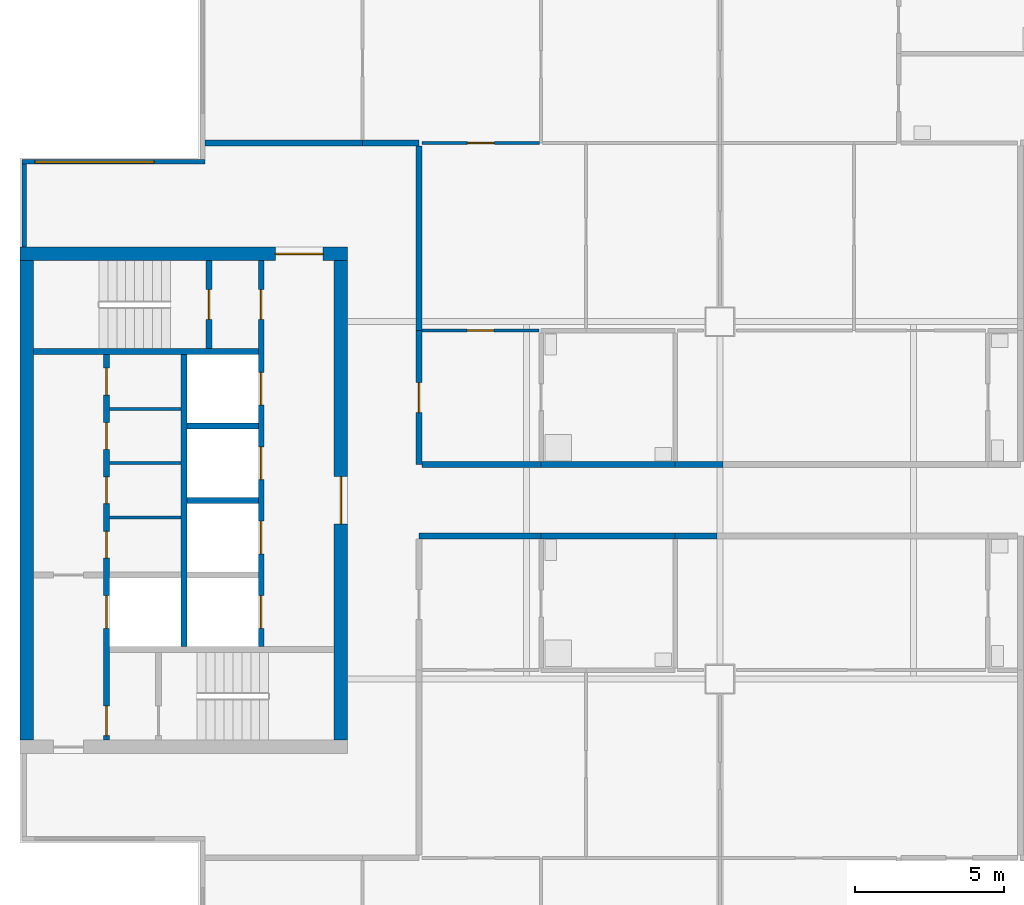
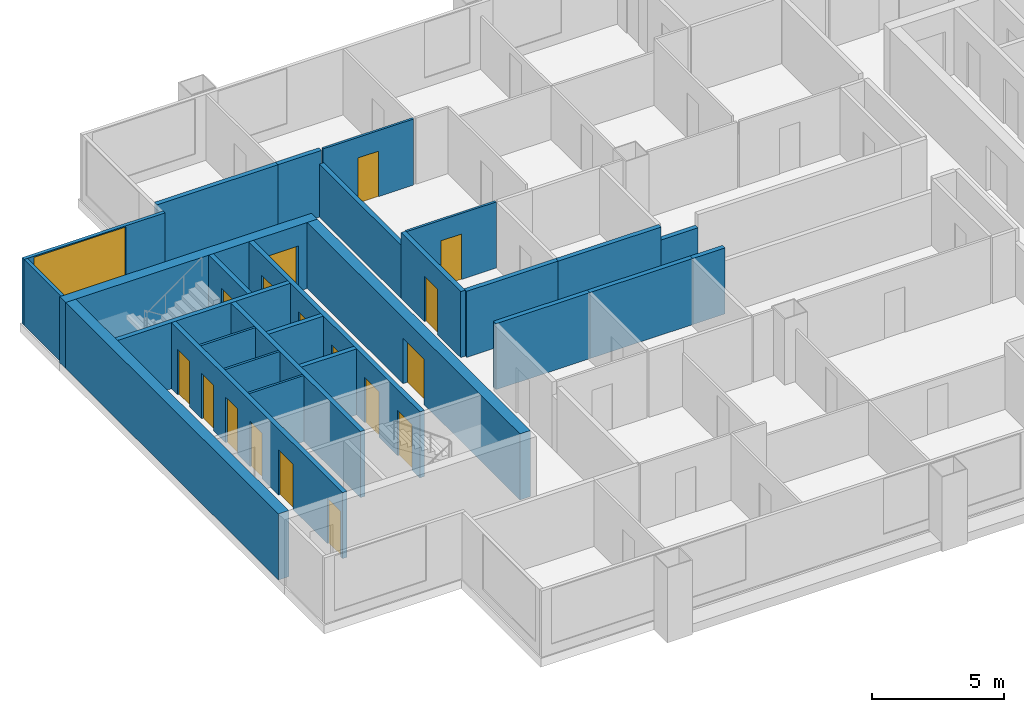
# One storey, part 3 of 8: 27 walls, 17 doors, 1 window, 18 openings.
"""IFC4 building model written with IfcOpenShell, lengths in metres."""

import ifcopenshell
import ifcopenshell.guid

model = None  # the IFC model being written
_history = None  # IfcOwnerHistory: only IFC2X3 demands one
_inside = {}  # id of a spatial element -> (the spatial element, [elements in it])
_under = {}  # id of a project, library or spatial element -> (it, [spatial elements below it])
_declared = {}  # id of a project -> (the project, [libraries it declares])
_typed = {}  # id of a type object -> (the type object, [elements of that type])
_made_of = {}  # id of a material, layer set ... -> (it, [elements and type objects made of it])


def new_model(schema):
    """Start an empty IFC model of exactly this schema.

    Asked for "IFC4X3", IfcOpenShell would pick the latest addendum, in which some entities
    have other attributes; the version numbers below select the first issue.
    IFC2X3 requires an IfcOwnerHistory on every rooted entity: one is made here for all.
    """
    global model, _history
    if schema == "IFC4X3":
        model = ifcopenshell.file(schema_version=(4, 3, 0, 0))
    else:
        model = ifcopenshell.file(schema=schema)
    _inside.clear()
    _under.clear()
    _declared.clear()
    _typed.clear()
    _made_of.clear()
    _history = None
    if model.schema == "IFC2X3":
        org = make("IfcOrganization", Name="unknown")
        user = make(
            "IfcPersonAndOrganization",
            ThePerson=make("IfcPerson", FamilyName="unknown"),
            TheOrganization=org,
        )
        app = make(
            "IfcApplication",
            ApplicationDeveloper=org,
            Version="unknown",
            ApplicationFullName="unknown",
            ApplicationIdentifier="unknown",
        )
        _history = make(
            "IfcOwnerHistory",
            OwningUser=user,
            OwningApplication=app,
            ChangeAction="ADDED",
            CreationDate=0,
        )
    return model


def make(cls, **values):
    """One entity of the class cls with the attributes given. An attribute that is None is left unset."""
    return model.create_entity(
        cls, **{name: value for name, value in values.items() if value is not None}
    )


def rooted(cls, **values):
    """An entity with a GlobalId (a new one), such as an element, a storey or a relation."""
    return make(cls, GlobalId=ifcopenshell.guid.new(), OwnerHistory=_history, **values)


def si_unit(unit_type, name, prefix=None):
    """IfcSIUnit, for example si_unit("LENGTHUNIT", "METRE", prefix="MILLI")."""
    return make("IfcSIUnit", UnitType=unit_type, Prefix=prefix, Name=name)


def assignment(units):
    """IfcUnitAssignment: the units of a project."""
    return None if units is None else make("IfcUnitAssignment", Units=units)


def point(xyz):
    """IfcCartesianPoint."""
    return None if xyz is None else make("IfcCartesianPoint", Coordinates=xyz)


def direction(xyz):
    """IfcDirection."""
    return None if xyz is None else make("IfcDirection", DirectionRatios=xyz)


def frame(location, z_axis=None, x_axis=None):
    """IfcAxis2Placement3D, a coordinate frame: its origin and axes. An axis left out is left unset."""
    return make(
        "IfcAxis2Placement3D",
        Location=point(location),
        Axis=direction(z_axis),
        RefDirection=direction(x_axis),
    )


def frame_2d(location, x_axis=None):
    """IfcAxis2Placement2D, a coordinate frame in the plane: its origin and x axis."""
    return make(
        "IfcAxis2Placement2D", Location=point(location), RefDirection=direction(x_axis)
    )


def origin():
    """The frame at (0, 0, 0) with its axes left unset."""
    return frame((0.0, 0.0, 0.0))


def place(relative_to, where):
    """IfcLocalPlacement: puts the frame where relative to a parent placement (None: the world)."""
    return make(
        "IfcLocalPlacement", PlacementRelTo=relative_to, RelativePlacement=where
    )


def context(
    kind, dimensions, precision=None, world=None, true_north=None, identifier=None
):
    """IfcGeometricRepresentationContext, for example the 3D "Model" context."""
    return make(
        "IfcGeometricRepresentationContext",
        ContextIdentifier=identifier,
        ContextType=kind,
        CoordinateSpaceDimension=dimensions,
        Precision=precision,
        WorldCoordinateSystem=world,
        TrueNorth=true_north,
    )


def subcontext(parent, identifier, kind, view, scale=None):
    """IfcGeometricRepresentationSubContext, for example "Body" below "Model"."""
    return make(
        "IfcGeometricRepresentationSubContext",
        ContextIdentifier=identifier,
        ContextType=kind,
        ParentContext=parent,
        TargetScale=scale,
        TargetView=view,
    )


def project(units=None, contexts=None):
    """IfcProject with its units and contexts."""
    return rooted(
        "IfcProject",
        Name="project",
        RepresentationContexts=contexts,
        UnitsInContext=assignment(units),
    )


def spatial(cls, under=None, at=None, **own):
    """A site, building, storey or space (cls), placed at a placement, below another one or the project."""
    s = rooted(cls, ObjectPlacement=at, **own)
    if under is not None:
        _under.setdefault(under.id(), (under, []))[1].append(s)
    return s


def profile(cls, at=None, kind="AREA", **sizes):
    """A parametric profile (cls). Its sizes go by their IFC names, for example OverallWidth=200.0."""
    return make(cls, ProfileType=kind, Position=at, **sizes)


def rectangle(**sizes):
    """IfcRectangleProfileDef."""
    return profile("IfcRectangleProfileDef", **sizes)


def extrude(swept, where, along, depth):
    """IfcExtrudedAreaSolid: the profile swept, set in the frame where, extruded along a direction by depth."""
    return make(
        "IfcExtrudedAreaSolid",
        SweptArea=swept,
        Position=where,
        ExtrudedDirection=direction(along),
        Depth=depth,
    )


def shape(context_of_items, identifier, shape_type, items):
    """IfcShapeRepresentation: the items that make up one representation, for example the "Body"."""
    return make(
        "IfcShapeRepresentation",
        ContextOfItems=context_of_items,
        RepresentationIdentifier=identifier,
        RepresentationType=shape_type,
        Items=items,
    )


def material(Name=None, Category=None):
    """IfcMaterial."""
    return make("IfcMaterial", Name=Name, Category=Category)


def layer(
    of_material, thickness, ventilated=None, Name=None, Category=None, Priority=None
):
    """IfcMaterialLayer: one layer of a wall or slab, of a material (None: an air gap)."""
    return make(
        "IfcMaterialLayer",
        Material=of_material,
        LayerThickness=thickness,
        IsVentilated=ventilated,
        Name=Name,
        Category=Category,
        Priority=Priority,
    )


def layer_set(layers, Name=None):
    """IfcMaterialLayerSet."""
    return make("IfcMaterialLayerSet", MaterialLayers=layers, LayerSetName=Name)


def made_of(thing, what):
    """Note that an element or type object is made of a material, layer set ...; save() writes the relation."""
    if what is not None:
        _made_of.setdefault(what.id(), (what, []))[1].append(thing)
    return thing


def type_object(cls, material=None, **own):
    """A type object (cls), such as IfcWallType, which elements share."""
    return made_of(rooted(cls, **own), material)


def element(
    cls,
    number,
    at=None,
    inside=None,
    cuts=None,
    type_object=None,
    material=None,
    context=None,
    identifier="Body",
    shape_type=None,
    held_by="IfcProductDefinitionShape",
    body=None,
    shapes=None,
    **own,
):
    """One element of the class cls, such as IfcWall. Its Tag is "e" and its number.

    at: its placement. inside: the storey or other place that contains it. cuts: it is an
    opening in that element (IfcRelVoidsElement). A single representation is given by context,
    identifier, shape_type and body (its items); several are given by shapes. held_by: the class
    of the entity that holds the representations. save() writes the other relations.
    """
    e = rooted(cls, Tag="e%d" % number, ObjectPlacement=at, **own)
    if body is not None:
        shapes = [shape(context, identifier, shape_type, body)]
    if shapes is not None:
        e.Representation = make(held_by, Representations=shapes)
    if inside is not None:
        _inside.setdefault(inside.id(), (inside, []))[1].append(e)
    if cuts is not None:
        rooted(
            "IfcRelVoidsElement", RelatingBuildingElement=cuts, RelatedOpeningElement=e
        )
    if type_object is not None:
        _typed.setdefault(type_object.id(), (type_object, []))[1].append(e)
    return made_of(e, material)


def fill(opening, filler):
    """IfcRelFillsElement: the door or window that sits in an opening."""
    return rooted(
        "IfcRelFillsElement",
        RelatingOpeningElement=opening,
        RelatedBuildingElement=filler,
    )


def aggregate(whole, parts):
    """IfcRelAggregates: a whole, such as a stair, and the parts it consists of."""
    return rooted("IfcRelAggregates", RelatingObject=whole, RelatedObjects=parts)


def save(model, path):
    """Write the relations noted so far, then the file.

    IfcRelAggregates (storeys below a building ...), IfcRelContainedInSpatialStructure (elements
    in a storey), IfcRelDefinesByType, IfcRelAssociatesMaterial and IfcRelDeclares: one each for
    every whole, place, type object, material and project.
    """
    for whole, parts in _under.values():
        aggregate(whole, parts)
    for where, things in _inside.values():
        rooted(
            "IfcRelContainedInSpatialStructure",
            RelatedElements=things,
            RelatingStructure=where,
        )
    for kind, things in _typed.values():
        rooted("IfcRelDefinesByType", RelatedObjects=things, RelatingType=kind)
    for what, things in _made_of.values():
        rooted("IfcRelAssociatesMaterial", RelatedObjects=things, RelatingMaterial=what)
    for by, libraries in _declared.values():
        rooted("IfcRelDeclares", RelatingContext=by, RelatedDefinitions=libraries)
    model.write(path)


model = new_model("IFC4")

# Units and contexts
model_context = context("Model", 3, precision=1e-05, world=origin(), true_north=direction((0.0, 1.0)))
body_context = subcontext(model_context, "Body", "Model", "MODEL_VIEW")
ifc_project = project(units=[si_unit("LENGTHUNIT", "METRE"), si_unit("AREAUNIT", "SQUARE_METRE"), si_unit("VOLUMEUNIT", "CUBIC_METRE"), si_unit("PLANEANGLEUNIT", "RADIAN"), si_unit("MASSUNIT", "GRAM", prefix="KILO")], contexts=[model_context])

# Site, building, storey
site_placement = place(None, origin())
site = spatial("IfcSite", under=ifc_project, at=site_placement, CompositionType="ELEMENT")
building_placement = place(site_placement, origin())
building = spatial("IfcBuilding", under=site, at=building_placement, Name="Kitamizu Gate Tower and Museum", CompositionType="ELEMENT")
storey_placement = place(building_placement, frame((0.0, 0.0, 228.300048828125)))
storey = spatial("IfcBuildingStorey", under=building, at=storey_placement, Name="L61", CompositionType="ELEMENT", Elevation=228.300048828125)

# Wall, opening, door
ifc_material_1 = material(Name="Concrete Fc42", Category="concrete")
ifc_layer_1 = layer(ifc_material_1, 0.449951171875)
ifc_layer_set_1 = layer_set([ifc_layer_1], Name="Concrete Fc42")
wall_type_1 = type_object("IfcWallType", Name="Core wall 450", PredefinedType="SHEAR", material=ifc_layer_set_1)
wall_1_placement = place(storey_placement, frame((12.5, 38.27490234375, 0.0), z_axis=(0.0, 0.0, 1.0), x_axis=(1.0, 0.0, 0.0)))
wall_1 = element("IfcWall", 1, at=wall_1_placement, inside=storey, type_object=wall_type_1, Name="Core wall WN", PredefinedType="SHEAR", context=body_context, shape_type="SweptSolid", body=[
    extrude(rectangle(XDim=11.0, YDim=0.449951171875, at=frame_2d((5.5, 0.0))), origin(), (0.0, 0.0, 1.0), 3.050048828125),
])
opening_1_placement = place(wall_1_placement, frame((8.574951171875, 0.0, 0.0)))
opening_1 = element("IfcOpeningElement", 2, at=opening_1_placement, cuts=wall_1, Name="Opening L61-036", PredefinedType="OPENING", context=body_context, shape_type="SweptSolid", body=[
    extrude(rectangle(XDim=1.60009765625, YDim=2.10009765625, at=frame_2d((0.800048828125, 1.050048828125))), frame((0.0, 0.23486328125, 0.0), z_axis=(0.0, -1.0, 0.0), x_axis=(1.0, 0.0, 0.0)), (0.0, 0.0, 1.0), 0.469970703125),
])
ifc_material_2 = material(Name="Timber door set", Category="wood")
door_type_1 = type_object("IfcDoorType", Name="Entrance door 1600", OperationType="DOUBLE_DOOR_SINGLE_SWING", PredefinedType="DOOR", material=ifc_material_2)
door_1_placement = place(opening_1_placement, origin())
door_1 = element("IfcDoor", 3, at=door_1_placement, inside=storey, type_object=door_type_1, Name="Lobby door L61-036", OperationType="DOUBLE_DOOR_SINGLE_SWING", OverallHeight=2.10009765625, OverallWidth=1.60009765625, PredefinedType="DOOR", context=body_context, shape_type="SweptSolid", body=[
    extrude(rectangle(XDim=1.60009765625, YDim=2.10009765625, at=frame_2d((0.800048828125, 1.050048828125))), frame((0.0, 0.02490234375, 0.0), z_axis=(0.0, -1.0, 0.0), x_axis=(1.0, 0.0, 0.0)), (0.0, 0.0, 1.0), 0.050048828125),
])
fill(opening_1, door_1)

# Wall
wall_2_placement = place(storey_placement, frame((12.72509765625, 21.949951171875, 0.0), z_axis=(0.0, 0.0, 1.0), x_axis=(0.0, 1.0, 0.0)))
element("IfcWall", 4, at=wall_2_placement, inside=storey, type_object=wall_type_1, Name="Core wall WOUT", PredefinedType="SHEAR", context=body_context, shape_type="SweptSolid", body=[
    extrude(rectangle(XDim=16.10009765625, YDim=0.449951171875, at=frame_2d((8.050048828125, 0.0))), origin(), (0.0, 0.0, 1.0), 3.050048828125),
])

# Wall, opening, door
wall_3_placement = place(storey_placement, frame((23.27490234375, 21.949951171875, 0.0), z_axis=(0.0, 0.0, 1.0), x_axis=(0.0, 1.0, 0.0)))
wall_3 = element("IfcWall", 5, at=wall_3_placement, inside=storey, type_object=wall_type_1, Name="Core wall WARC", PredefinedType="SHEAR", context=body_context, shape_type="SweptSolid", body=[
    extrude(rectangle(XDim=16.10009765625, YDim=0.449951171875, at=frame_2d((8.050048828125, 0.0))), origin(), (0.0, 0.0, 1.0), 3.050048828125),
])
opening_2_placement = place(wall_3_placement, frame((7.25, 0.0, 0.0)))
opening_2 = element("IfcOpeningElement", 6, at=opening_2_placement, cuts=wall_3, Name="Opening L61-037", PredefinedType="OPENING", context=body_context, shape_type="SweptSolid", body=[
    extrude(rectangle(XDim=1.60009765625, YDim=2.10009765625, at=frame_2d((0.800048828125, 1.050048828125))), frame((0.0, 0.23486328125, 0.0), z_axis=(0.0, -1.0, 0.0), x_axis=(1.0, 0.0, 0.0)), (0.0, 0.0, 1.0), 0.469970703125),
])
door_2_placement = place(opening_2_placement, origin())
door_2 = element("IfcDoor", 7, at=door_2_placement, inside=storey, type_object=door_type_1, Name="Lobby door L61-037", OperationType="DOUBLE_DOOR_SINGLE_SWING", OverallHeight=2.10009765625, OverallWidth=1.60009765625, PredefinedType="DOOR", context=body_context, shape_type="SweptSolid", body=[
    extrude(rectangle(XDim=1.60009765625, YDim=2.10009765625, at=frame_2d((0.800048828125, 1.050048828125))), frame((0.0, 0.02490234375, 0.0), z_axis=(0.0, -1.0, 0.0), x_axis=(1.0, 0.0, 0.0)), (0.0, 0.0, 1.0), 0.050048828125),
])
fill(opening_2, door_2)

# Walls
ifc_material_3 = material(Name="Gypsum board on galvanised stud")
ifc_layer_2 = layer(ifc_material_3, 0.10009765625)
ifc_layer_set_2 = layer_set([ifc_layer_2], Name="Gypsum board on galvanised stud")
wall_type_2 = type_object("IfcWallType", Name="Partition 100", PredefinedType="PARTITIONING", material=ifc_layer_set_2)
for number, where, z_axis, x_axis, name in (
    (8, (15.5, 29.425048828125, 0.0), (0.0, 0.0, 1.0), (1.0, 0.0, 0.0), "Partition WPF1"),
    (9, (15.5, 31.25, 0.0), (0.0, 0.0, 1.0), (1.0, 0.0, 0.0), "Partition WPF2"),
    (10, (15.5, 33.074951171875, 0.0), (0.0, 0.0, 1.0), (1.0, 0.0, 0.0), "Partition WPF3"),
):
    element("IfcWall", number, at=place(storey_placement, frame(where, z_axis=z_axis, x_axis=x_axis)), inside=storey, type_object=wall_type_2, Name=name, PredefinedType="PARTITIONING", context=body_context, shape_type="SweptSolid", body=[
        extrude(rectangle(XDim=2.39990234375, YDim=0.10009765625, at=frame_2d((1.199951171875, 0.0))), origin(), (0.0, 0.0, 1.0), 3.050048828125),
    ])

# Wall, opening, door
ifc_material_4 = material(Name="Gypsum board on galvanised stud")
ifc_layer_3 = layer(ifc_material_4, 0.10009765625)
ifc_layer_set_3 = layer_set([ifc_layer_3], Name="Gypsum board on galvanised stud")
wall_type_3 = type_object("IfcWallType", Name="Partition 100 NOT RATED", PredefinedType="PARTITIONING", material=ifc_layer_set_3)
wall_4_placement = place(storey_placement, frame((26.0, 42.0, 0.0), z_axis=(0.0, 0.0, 1.0), x_axis=(1.0, 0.0, 0.0)))
wall_4 = element("IfcWall", 11, at=wall_4_placement, inside=storey, type_object=wall_type_3, Name="Partition L61-041", PredefinedType="PARTITIONING", context=body_context, shape_type="SweptSolid", body=[
    extrude(rectangle(XDim=3.949951171875, YDim=0.10009765625, at=frame_2d((1.97509765625, 0.0))), origin(), (0.0, 0.0, 1.0), 3.050048828125),
])
opening_3_placement = place(wall_4_placement, frame((1.52490234375, 0.0, 0.0)))
opening_3 = element("IfcOpeningElement", 12, at=opening_3_placement, cuts=wall_4, Name="Opening L61-017", PredefinedType="OPENING", context=body_context, shape_type="SweptSolid", body=[
    extrude(rectangle(XDim=0.89990234375, YDim=2.10009765625, at=frame_2d((0.449951171875, 1.050048828125))), frame((0.0, 0.06005859375, 0.0), z_axis=(0.0, -1.0, 0.0), x_axis=(1.0, 0.0, 0.0)), (0.0, 0.0, 1.0), 0.1201171875),
])
ifc_material_5 = material(Name="Timber door set", Category="wood")
door_type_2 = type_object("IfcDoorType", Name="Room door 900", OperationType="NOTDEFINED", PredefinedType="DOOR", material=ifc_material_5)
door_3_placement = place(opening_3_placement, origin())
door_3 = element("IfcDoor", 13, at=door_3_placement, inside=storey, type_object=door_type_2, Name="Door L61-017", OperationType="SINGLE_SWING_RIGHT", OverallHeight=2.10009765625, OverallWidth=0.89990234375, PredefinedType="DOOR", context=body_context, shape_type="SweptSolid", body=[
    extrude(rectangle(XDim=0.89990234375, YDim=2.10009765625, at=frame_2d((0.449951171875, 1.050048828125))), frame((0.0, 0.02490234375, 0.0), z_axis=(0.0, -1.0, 0.0), x_axis=(1.0, 0.0, 0.0)), (0.0, 0.0, 1.0), 0.050048828125),
])
fill(opening_3, door_3)

wall_5_placement = place(storey_placement, frame((26.0, 35.699951171875, 0.0), z_axis=(0.0, 0.0, 1.0), x_axis=(1.0, 0.0, 0.0)))
wall_5 = element("IfcWall", 14, at=wall_5_placement, inside=storey, type_object=wall_type_3, Name="Partition L61-057", PredefinedType="PARTITIONING", context=body_context, shape_type="SweptSolid", body=[
    extrude(rectangle(XDim=3.925048828125, YDim=0.10009765625, at=frame_2d((1.96240234375, 0.0))), origin(), (0.0, 0.0, 1.0), 3.050048828125),
])
opening_4_placement = place(wall_5_placement, frame((1.512451171875, 0.0, 0.0)))
opening_4 = element("IfcOpeningElement", 15, at=opening_4_placement, cuts=wall_5, Name="Opening L61-016", PredefinedType="OPENING", context=body_context, shape_type="SweptSolid", body=[
    extrude(rectangle(XDim=0.89990234375, YDim=2.10009765625, at=frame_2d((0.449951171875, 1.050048828125))), frame((0.0, 0.06005859375, 0.0), z_axis=(0.0, -1.0, 0.0), x_axis=(1.0, 0.0, 0.0)), (0.0, 0.0, 1.0), 0.1201171875),
])
door_4_placement = place(opening_4_placement, origin())
door_4 = element("IfcDoor", 16, at=door_4_placement, inside=storey, type_object=door_type_2, Name="Door L61-016", OperationType="SINGLE_SWING_LEFT", OverallHeight=2.10009765625, OverallWidth=0.89990234375, PredefinedType="DOOR", context=body_context, shape_type="SweptSolid", body=[
    extrude(rectangle(XDim=0.89990234375, YDim=2.10009765625, at=frame_2d((0.449951171875, 1.050048828125))), frame((0.0, 0.02490234375, 0.0), z_axis=(0.0, -1.0, 0.0), x_axis=(1.0, 0.0, 0.0)), (0.0, 0.0, 1.0), 0.050048828125),
])
fill(opening_4, door_4)

# Walls
ifc_material_6 = material(Name="Gypsum board on galvanised stud")
ifc_layer_4 = layer(ifc_material_6, 0.199951171875)
ifc_layer_set_4 = layer_set([ifc_layer_4], Name="Gypsum board on galvanised stud")
wall_type_4 = type_object("IfcWallType", Name="Partition 200", PredefinedType="PARTITIONING", material=ifc_layer_set_4)
wall_6_placement = place(storey_placement, frame((30.0, 28.800048828125, 0.0), z_axis=(0.0, 0.0, 1.0), x_axis=(-1.0, 0.0, 0.0)))
element("IfcWall", 17, at=wall_6_placement, inside=storey, type_object=wall_type_4, Name="Partition L61-029", PredefinedType="PARTITIONING", context=body_context, shape_type="SweptSolid", body=[
    extrude(rectangle(XDim=4.10009765625, YDim=0.199951171875, at=frame_2d((2.050048828125, 0.0))), origin(), (0.0, 0.0, 1.0), 3.050048828125),
])
wall_7_placement = place(storey_placement, frame((34.5, 28.800048828125, 0.0), z_axis=(0.0, 0.0, 1.0), x_axis=(-1.0, 0.0, 0.0)))
element("IfcWall", 18, at=wall_7_placement, inside=storey, type_object=wall_type_4, Name="Partition L61-032", PredefinedType="PARTITIONING", context=body_context, shape_type="SweptSolid", body=[
    extrude(rectangle(XDim=4.5, YDim=0.199951171875, at=frame_2d((2.25, 0.0))), origin(), (0.0, 0.0, 1.0), 3.050048828125),
])
wall_8_placement = place(storey_placement, frame((35.89990234375, 28.800048828125, 0.0), z_axis=(0.0, 0.0, 1.0), x_axis=(-1.0, 0.0, 0.0)))
element("IfcWall", 19, at=wall_8_placement, inside=storey, type_object=wall_type_4, Name="Partition L61-035", PredefinedType="PARTITIONING", context=body_context, shape_type="SweptSolid", body=[
    extrude(rectangle(XDim=1.39990234375, YDim=0.199951171875, at=frame_2d((0.699951171875, 0.0))), origin(), (0.0, 0.0, 1.0), 3.050048828125),
])
wall_9_placement = place(storey_placement, frame((18.719970703125, 42.0, 0.0), z_axis=(0.0, 0.0, 1.0), x_axis=(1.0, 0.0, 0.0)))
element("IfcWall", 20, at=wall_9_placement, inside=storey, type_object=wall_type_4, Name="Partition L61-039", PredefinedType="PARTITIONING", context=body_context, shape_type="SweptSolid", body=[
    extrude(rectangle(XDim=5.280029296875, YDim=0.199951171875, at=frame_2d((2.64013671875, 0.0))), origin(), (0.0, 0.0, 1.0), 3.050048828125),
])
wall_10_placement = place(storey_placement, frame((24.0, 42.0, 0.0), z_axis=(0.0, 0.0, 1.0), x_axis=(1.0, 0.0, 0.0)))
element("IfcWall", 21, at=wall_10_placement, inside=storey, type_object=wall_type_4, Name="Partition L61-042", PredefinedType="PARTITIONING", context=body_context, shape_type="SweptSolid", body=[
    extrude(rectangle(XDim=1.89990234375, YDim=0.199951171875, at=frame_2d((0.949951171875, 0.0))), origin(), (0.0, 0.0, 1.0), 3.050048828125),
])
wall_11_placement = place(storey_placement, frame((25.89990234375, 41.89990234375, 0.0), z_axis=(0.0, 0.0, 1.0), x_axis=(0.0, -1.0, 0.0)))
element("IfcWall", 22, at=wall_11_placement, inside=storey, type_object=wall_type_4, Name="Partition L61-059", PredefinedType="PARTITIONING", context=body_context, shape_type="SweptSolid", body=[
    extrude(rectangle(XDim=6.199951171875, YDim=0.199951171875, at=frame_2d((3.10009765625, 0.0))), origin(), (0.0, 0.0, 1.0), 2.449951171875),
])

# Wall, opening, door
wall_12_placement = place(storey_placement, frame((25.89990234375, 35.699951171875, 0.0), z_axis=(0.0, 0.0, 1.0), x_axis=(0.0, -1.0, 0.0)))
wall_12 = element("IfcWall", 23, at=wall_12_placement, inside=storey, type_object=wall_type_4, Name="Partition L61-071", PredefinedType="PARTITIONING", context=body_context, shape_type="SweptSolid", body=[
    extrude(rectangle(XDim=4.5, YDim=0.199951171875, at=frame_2d((2.25, 0.0))), origin(), (0.0, 0.0, 1.0), 3.050048828125),
])
opening_5_placement = place(wall_12_placement, frame((1.75, 0.0, 0.0)))
opening_5 = element("IfcOpeningElement", 24, at=opening_5_placement, cuts=wall_12, Name="Opening L61-014", PredefinedType="OPENING", context=body_context, shape_type="SweptSolid", body=[
    extrude(rectangle(XDim=1.0, YDim=2.10009765625, at=frame_2d((0.5, 1.050048828125))), frame((0.0, 0.10986328125, 0.0), z_axis=(0.0, -1.0, 0.0), x_axis=(1.0, 0.0, 0.0)), (0.0, 0.0, 1.0), 0.219970703125),
])
ifc_material_7 = material(Name="Timber door set", Category="wood")
door_type_3 = type_object("IfcDoorType", Name="Flat entrance door 1000", OperationType="NOTDEFINED", PredefinedType="DOOR", material=ifc_material_7)
door_5_placement = place(opening_5_placement, origin())
door_5 = element("IfcDoor", 25, at=door_5_placement, inside=storey, type_object=door_type_3, Name="Flat entrance door L61-014", OperationType="SINGLE_SWING_LEFT", OverallHeight=2.10009765625, OverallWidth=1.0, PredefinedType="DOOR", context=body_context, shape_type="SweptSolid", body=[
    extrude(rectangle(XDim=1.0, YDim=2.10009765625, at=frame_2d((0.5, 1.050048828125))), frame((0.0, 0.02490234375, 0.0), z_axis=(0.0, -1.0, 0.0), x_axis=(1.0, 0.0, 0.0)), (0.0, 0.0, 1.0), 0.050048828125),
])
fill(opening_5, door_5)

# Walls
wall_13_placement = place(storey_placement, frame((26.0, 31.199951171875, 0.0), z_axis=(0.0, 0.0, 1.0), x_axis=(1.0, 0.0, 0.0)))
element("IfcWall", 26, at=wall_13_placement, inside=storey, type_object=wall_type_4, Name="Partition L61-072", PredefinedType="PARTITIONING", context=body_context, shape_type="SweptSolid", body=[
    extrude(rectangle(XDim=4.0, YDim=0.199951171875, at=frame_2d((2.0, 0.0))), origin(), (0.0, 0.0, 1.0), 3.050048828125),
])
wall_14_placement = place(storey_placement, frame((30.0, 31.199951171875, 0.0), z_axis=(0.0, 0.0, 1.0), x_axis=(1.0, 0.0, 0.0)))
element("IfcWall", 27, at=wall_14_placement, inside=storey, type_object=wall_type_4, Name="Partition L61-074", PredefinedType="PARTITIONING", context=body_context, shape_type="SweptSolid", body=[
    extrude(rectangle(XDim=4.5, YDim=0.199951171875, at=frame_2d((2.25, 0.0))), origin(), (0.0, 0.0, 1.0), 3.050048828125),
])
wall_15_placement = place(storey_placement, frame((34.5, 31.199951171875, 0.0), z_axis=(0.0, 0.0, 1.0), x_axis=(1.0, 0.0, 0.0)))
element("IfcWall", 28, at=wall_15_placement, inside=storey, type_object=wall_type_4, Name="Partition L61-076", PredefinedType="PARTITIONING", context=body_context, shape_type="SweptSolid", body=[
    extrude(rectangle(XDim=1.60009765625, YDim=0.199951171875, at=frame_2d((0.800048828125, 0.0))), origin(), (0.0, 0.0, 1.0), 2.449951171875),
])

# Wall, openings, doors
ifc_material_8 = material(Name="Concrete Fc42", Category="concrete")
ifc_layer_5 = layer(ifc_material_8, 0.199951171875)
ifc_layer_set_5 = layer_set([ifc_layer_5], Name="Concrete Fc42")
wall_type_5 = type_object("IfcWallType", Name="Shaft wall 200", PredefinedType="SOLIDWALL", material=ifc_layer_set_5)
wall_16_placement = place(storey_placement, frame((15.39990234375, 21.949951171875, 0.0), z_axis=(0.0, 0.0, 1.0), x_axis=(0.0, 1.0, 0.0)))
wall_16 = element("IfcWall", 29, at=wall_16_placement, inside=storey, type_object=wall_type_5, Name="Shaft wall WWEST", PredefinedType="SOLIDWALL", context=body_context, shape_type="SweptSolid", body=[
    extrude(rectangle(XDim=12.949951171875, YDim=0.199951171875, at=frame_2d((6.47509765625, 0.0))), origin(), (0.0, 0.0, 1.0), 3.050048828125),
])
opening_6_placement = place(wall_16_placement, frame((3.75, 0.0, 0.0)))
opening_6 = element("IfcOpeningElement", 30, at=opening_6_placement, cuts=wall_16, Name="Opening LD", PredefinedType="OPENING", context=body_context, shape_type="SweptSolid", body=[
    extrude(rectangle(XDim=1.10009765625, YDim=2.10009765625, at=frame_2d((0.550048828125, 1.050048828125))), frame((0.0, 0.10986328125, 0.0), z_axis=(0.0, -1.0, 0.0), x_axis=(1.0, 0.0, 0.0)), (0.0, 0.0, 1.0), 0.219970703125),
])
opening_7_placement = place(wall_16_placement, frame((0.14990234375, 0.0, 0.0)))
opening_7 = element("IfcOpeningElement", 31, at=opening_7_placement, cuts=wall_16, Name="Opening L61-031", PredefinedType="OPENING", context=body_context, shape_type="SweptSolid", body=[
    extrude(rectangle(XDim=1.0, YDim=2.10009765625, at=frame_2d((0.5, 1.050048828125))), frame((0.0, 0.10986328125, 0.0), z_axis=(0.0, -1.0, 0.0), x_axis=(1.0, 0.0, 0.0)), (0.0, 0.0, 1.0), 0.219970703125),
])
opening_8_placement = place(wall_16_placement, frame((6.112548828125, 0.0, 0.0)))
opening_8 = element("IfcOpeningElement", 32, at=opening_8_placement, cuts=wall_16, Name="Opening L61-038", PredefinedType="OPENING", context=body_context, shape_type="SweptSolid", body=[
    extrude(rectangle(XDim=0.89990234375, YDim=2.10009765625, at=frame_2d((0.449951171875, 1.050048828125))), frame((0.0, 0.10986328125, 0.0), z_axis=(0.0, -1.0, 0.0), x_axis=(1.0, 0.0, 0.0)), (0.0, 0.0, 1.0), 0.219970703125),
])
opening_9_placement = place(wall_16_placement, frame((7.9375, 0.0, 0.0)))
opening_9 = element("IfcOpeningElement", 33, at=opening_9_placement, cuts=wall_16, Name="Opening L61-039", PredefinedType="OPENING", context=body_context, shape_type="SweptSolid", body=[
    extrude(rectangle(XDim=0.89990234375, YDim=2.10009765625, at=frame_2d((0.449951171875, 1.050048828125))), frame((0.0, 0.10986328125, 0.0), z_axis=(0.0, -1.0, 0.0), x_axis=(1.0, 0.0, 0.0)), (0.0, 0.0, 1.0), 0.219970703125),
])
opening_10_placement = place(wall_16_placement, frame((9.762451171875, 0.0, 0.0)))
opening_10 = element("IfcOpeningElement", 34, at=opening_10_placement, cuts=wall_16, Name="Opening L61-040", PredefinedType="OPENING", context=body_context, shape_type="SweptSolid", body=[
    extrude(rectangle(XDim=0.89990234375, YDim=2.10009765625, at=frame_2d((0.449951171875, 1.050048828125))), frame((0.0, 0.10986328125, 0.0), z_axis=(0.0, -1.0, 0.0), x_axis=(1.0, 0.0, 0.0)), (0.0, 0.0, 1.0), 0.219970703125),
])
opening_11_placement = place(wall_16_placement, frame((11.58740234375, 0.0, 0.0)))
opening_11 = element("IfcOpeningElement", 35, at=opening_11_placement, cuts=wall_16, Name="Opening L61-041", PredefinedType="OPENING", context=body_context, shape_type="SweptSolid", body=[
    extrude(rectangle(XDim=0.89990234375, YDim=2.10009765625, at=frame_2d((0.449951171875, 1.050048828125))), frame((0.0, 0.10986328125, 0.0), z_axis=(0.0, -1.0, 0.0), x_axis=(1.0, 0.0, 0.0)), (0.0, 0.0, 1.0), 0.219970703125),
])
ifc_material_9 = material(Name="Hollow metal door set")
door_type_4 = type_object("IfcDoorType", Name="Fire door 1000", OperationType="NOTDEFINED", PredefinedType="DOOR", material=ifc_material_9)
door_6_placement = place(opening_7_placement, frame((1.0, 0.0, 0.0), x_axis=(-1.0, 0.0, 0.0)))
door_6 = element("IfcDoor", 36, at=door_6_placement, inside=storey, type_object=door_type_4, Name="Stair lobby door L61-031", OperationType="SINGLE_SWING_LEFT", OverallHeight=2.10009765625, OverallWidth=1.0, PredefinedType="DOOR", context=body_context, shape_type="SweptSolid", body=[
    extrude(rectangle(XDim=1.0, YDim=2.10009765625, at=frame_2d((0.5, 1.050048828125))), frame((0.0, 0.02490234375, 0.0), z_axis=(0.0, -1.0, 0.0), x_axis=(1.0, 0.0, 0.0)), (0.0, 0.0, 1.0), 0.050048828125),
])
fill(opening_7, door_6)
ifc_material_10 = material(Name="Hollow metal door set")
door_type_5 = type_object("IfcDoorType", Name="Landing door 1100", OperationType="SLIDING_TO_LEFT", PredefinedType="DOOR", material=ifc_material_10)
door_7_placement = place(opening_6_placement, origin())
door_7 = element("IfcDoor", 37, at=door_7_placement, inside=storey, type_object=door_type_5, Name="Landing door WFF1", OperationType="SLIDING_TO_LEFT", OverallHeight=2.10009765625, OverallWidth=1.10009765625, PredefinedType="DOOR", context=body_context, shape_type="SweptSolid", body=[
    extrude(rectangle(XDim=1.10009765625, YDim=2.10009765625, at=frame_2d((0.550048828125, 1.050048828125))), frame((0.0, 0.02490234375, 0.0), z_axis=(0.0, -1.0, 0.0), x_axis=(1.0, 0.0, 0.0)), (0.0, 0.0, 1.0), 0.050048828125),
])
fill(opening_6, door_7)
ifc_material_11 = material(Name="Timber door set", Category="wood")
door_type_6 = type_object("IfcDoorType", Name="Service door 900", OperationType="NOTDEFINED", PredefinedType="DOOR", material=ifc_material_11)
door_8_placement = place(opening_8_placement, frame((0.89990234375, 0.0, 0.0), x_axis=(-1.0, 0.0, 0.0)))
door_8 = element("IfcDoor", 38, at=door_8_placement, inside=storey, type_object=door_type_6, Name="Service door L61-038", OperationType="SINGLE_SWING_RIGHT", OverallHeight=2.10009765625, OverallWidth=0.89990234375, PredefinedType="DOOR", context=body_context, shape_type="SweptSolid", body=[
    extrude(rectangle(XDim=0.89990234375, YDim=2.10009765625, at=frame_2d((0.449951171875, 1.050048828125))), frame((0.0, 0.02490234375, 0.0), z_axis=(0.0, -1.0, 0.0), x_axis=(1.0, 0.0, 0.0)), (0.0, 0.0, 1.0), 0.050048828125),
])
fill(opening_8, door_8)
door_9_placement = place(opening_9_placement, frame((0.89990234375, 0.0, 0.0), x_axis=(-1.0, 0.0, 0.0)))
door_9 = element("IfcDoor", 39, at=door_9_placement, inside=storey, type_object=door_type_6, Name="Service door L61-039", OperationType="SINGLE_SWING_LEFT", OverallHeight=2.10009765625, OverallWidth=0.89990234375, PredefinedType="DOOR", context=body_context, shape_type="SweptSolid", body=[
    extrude(rectangle(XDim=0.89990234375, YDim=2.10009765625, at=frame_2d((0.449951171875, 1.050048828125))), frame((0.0, 0.02490234375, 0.0), z_axis=(0.0, -1.0, 0.0), x_axis=(1.0, 0.0, 0.0)), (0.0, 0.0, 1.0), 0.050048828125),
])
fill(opening_9, door_9)
door_10_placement = place(opening_10_placement, frame((0.89990234375, 0.0, 0.0), x_axis=(-1.0, 0.0, 0.0)))
door_10 = element("IfcDoor", 40, at=door_10_placement, inside=storey, type_object=door_type_6, Name="Service door L61-040", OperationType="SINGLE_SWING_RIGHT", OverallHeight=2.10009765625, OverallWidth=0.89990234375, PredefinedType="DOOR", context=body_context, shape_type="SweptSolid", body=[
    extrude(rectangle(XDim=0.89990234375, YDim=2.10009765625, at=frame_2d((0.449951171875, 1.050048828125))), frame((0.0, 0.02490234375, 0.0), z_axis=(0.0, -1.0, 0.0), x_axis=(1.0, 0.0, 0.0)), (0.0, 0.0, 1.0), 0.050048828125),
])
fill(opening_10, door_10)
door_11_placement = place(opening_11_placement, frame((0.89990234375, 0.0, 0.0), x_axis=(-1.0, 0.0, 0.0)))
door_11 = element("IfcDoor", 41, at=door_11_placement, inside=storey, type_object=door_type_6, Name="Service door L61-041", OperationType="SINGLE_SWING_LEFT", OverallHeight=2.10009765625, OverallWidth=0.89990234375, PredefinedType="DOOR", context=body_context, shape_type="SweptSolid", body=[
    extrude(rectangle(XDim=0.89990234375, YDim=2.10009765625, at=frame_2d((0.449951171875, 1.050048828125))), frame((0.0, 0.02490234375, 0.0), z_axis=(0.0, -1.0, 0.0), x_axis=(1.0, 0.0, 0.0)), (0.0, 0.0, 1.0), 0.050048828125),
])
fill(opening_11, door_11)

wall_17_placement = place(storey_placement, frame((20.60009765625, 25.10009765625, 0.0), z_axis=(0.0, 0.0, 1.0), x_axis=(0.0, 1.0, 0.0)))
wall_17 = element("IfcWall", 42, at=wall_17_placement, inside=storey, type_object=wall_type_5, Name="Shaft wall WEAST", PredefinedType="SOLIDWALL", context=body_context, shape_type="SweptSolid", body=[
    extrude(rectangle(XDim=12.949951171875, YDim=0.199951171875, at=frame_2d((6.47509765625, 0.0))), origin(), (0.0, 0.0, 1.0), 3.050048828125),
])
opening_12_placement = place(wall_17_placement, frame((0.60009765625, 0.0, 0.0)))
opening_12 = element("IfcOpeningElement", 43, at=opening_12_placement, cuts=wall_17, Name="Opening LD", PredefinedType="OPENING", context=body_context, shape_type="SweptSolid", body=[
    extrude(rectangle(XDim=1.10009765625, YDim=2.10009765625, at=frame_2d((0.550048828125, 1.050048828125))), frame((0.0, 0.10986328125, 0.0), z_axis=(0.0, -1.0, 0.0), x_axis=(1.0, 0.0, 0.0)), (0.0, 0.0, 1.0), 0.219970703125),
])
opening_13_placement = place(wall_17_placement, frame((3.10009765625, 0.0, 0.0)))
opening_13 = element("IfcOpeningElement", 44, at=opening_13_placement, cuts=wall_17, Name="Opening LD", PredefinedType="OPENING", context=body_context, shape_type="SweptSolid", body=[
    extrude(rectangle(XDim=1.10009765625, YDim=2.10009765625, at=frame_2d((0.550048828125, 1.050048828125))), frame((0.0, 0.10986328125, 0.0), z_axis=(0.0, -1.0, 0.0), x_axis=(1.0, 0.0, 0.0)), (0.0, 0.0, 1.0), 0.219970703125),
])
opening_14_placement = place(wall_17_placement, frame((5.60009765625, 0.0, 0.0)))
opening_14 = element("IfcOpeningElement", 45, at=opening_14_placement, cuts=wall_17, Name="Opening LD", PredefinedType="OPENING", context=body_context, shape_type="SweptSolid", body=[
    extrude(rectangle(XDim=1.10009765625, YDim=2.10009765625, at=frame_2d((0.550048828125, 1.050048828125))), frame((0.0, 0.10986328125, 0.0), z_axis=(0.0, -1.0, 0.0), x_axis=(1.0, 0.0, 0.0)), (0.0, 0.0, 1.0), 0.219970703125),
])
opening_15_placement = place(wall_17_placement, frame((8.10009765625, 0.0, 0.0)))
opening_15 = element("IfcOpeningElement", 46, at=opening_15_placement, cuts=wall_17, Name="Opening LD", PredefinedType="OPENING", context=body_context, shape_type="SweptSolid", body=[
    extrude(rectangle(XDim=1.10009765625, YDim=2.10009765625, at=frame_2d((0.550048828125, 1.050048828125))), frame((0.0, 0.10986328125, 0.0), z_axis=(0.0, -1.0, 0.0), x_axis=(1.0, 0.0, 0.0)), (0.0, 0.0, 1.0), 0.219970703125),
])
opening_16_placement = place(wall_17_placement, frame((10.97509765625, 0.0, 0.0)))
opening_16 = element("IfcOpeningElement", 47, at=opening_16_placement, cuts=wall_17, Name="Opening L61-032", PredefinedType="OPENING", context=body_context, shape_type="SweptSolid", body=[
    extrude(rectangle(XDim=1.0, YDim=2.10009765625, at=frame_2d((0.5, 1.050048828125))), frame((0.0, 0.10986328125, 0.0), z_axis=(0.0, -1.0, 0.0), x_axis=(1.0, 0.0, 0.0)), (0.0, 0.0, 1.0), 0.219970703125),
])
door_12_placement = place(opening_16_placement, origin())
door_12 = element("IfcDoor", 48, at=door_12_placement, inside=storey, type_object=door_type_4, Name="Stair lobby door L61-032", OperationType="SINGLE_SWING_LEFT", OverallHeight=2.10009765625, OverallWidth=1.0, PredefinedType="DOOR", context=body_context, shape_type="SweptSolid", body=[
    extrude(rectangle(XDim=1.0, YDim=2.10009765625, at=frame_2d((0.5, 1.050048828125))), frame((0.0, 0.02490234375, 0.0), z_axis=(0.0, -1.0, 0.0), x_axis=(1.0, 0.0, 0.0)), (0.0, 0.0, 1.0), 0.050048828125),
])
fill(opening_16, door_12)
door_13_placement = place(opening_12_placement, origin())
door_13 = element("IfcDoor", 49, at=door_13_placement, inside=storey, type_object=door_type_5, Name="Landing door WSV1", OperationType="SLIDING_TO_LEFT", OverallHeight=2.10009765625, OverallWidth=1.10009765625, PredefinedType="DOOR", context=body_context, shape_type="SweptSolid", body=[
    extrude(rectangle(XDim=1.10009765625, YDim=2.10009765625, at=frame_2d((0.550048828125, 1.050048828125))), frame((0.0, 0.02490234375, 0.0), z_axis=(0.0, -1.0, 0.0), x_axis=(1.0, 0.0, 0.0)), (0.0, 0.0, 1.0), 0.050048828125),
])
fill(opening_12, door_13)
door_14_placement = place(opening_13_placement, origin())
door_14 = element("IfcDoor", 50, at=door_14_placement, inside=storey, type_object=door_type_5, Name="Landing door WH1", OperationType="SLIDING_TO_LEFT", OverallHeight=2.10009765625, OverallWidth=1.10009765625, PredefinedType="DOOR", context=body_context, shape_type="SweptSolid", body=[
    extrude(rectangle(XDim=1.10009765625, YDim=2.10009765625, at=frame_2d((0.550048828125, 1.050048828125))), frame((0.0, 0.02490234375, 0.0), z_axis=(0.0, -1.0, 0.0), x_axis=(1.0, 0.0, 0.0)), (0.0, 0.0, 1.0), 0.050048828125),
])
fill(opening_13, door_14)
door_15_placement = place(opening_14_placement, origin())
door_15 = element("IfcDoor", 51, at=door_15_placement, inside=storey, type_object=door_type_5, Name="Landing door WH2", OperationType="SLIDING_TO_LEFT", OverallHeight=2.10009765625, OverallWidth=1.10009765625, PredefinedType="DOOR", context=body_context, shape_type="SweptSolid", body=[
    extrude(rectangle(XDim=1.10009765625, YDim=2.10009765625, at=frame_2d((0.550048828125, 1.050048828125))), frame((0.0, 0.02490234375, 0.0), z_axis=(0.0, -1.0, 0.0), x_axis=(1.0, 0.0, 0.0)), (0.0, 0.0, 1.0), 0.050048828125),
])
fill(opening_14, door_15)
door_16_placement = place(opening_15_placement, origin())
door_16 = element("IfcDoor", 52, at=door_16_placement, inside=storey, type_object=door_type_5, Name="Landing door WH3", OperationType="SLIDING_TO_LEFT", OverallHeight=2.10009765625, OverallWidth=1.10009765625, PredefinedType="DOOR", context=body_context, shape_type="SweptSolid", body=[
    extrude(rectangle(XDim=1.10009765625, YDim=2.10009765625, at=frame_2d((0.550048828125, 1.050048828125))), frame((0.0, 0.02490234375, 0.0), z_axis=(0.0, -1.0, 0.0), x_axis=(1.0, 0.0, 0.0)), (0.0, 0.0, 1.0), 0.050048828125),
])
fill(opening_15, door_16)

# Walls
wall_18_placement = place(storey_placement, frame((18.0, 25.10009765625, 0.0), z_axis=(0.0, 0.0, 1.0), x_axis=(0.0, 1.0, 0.0)))
element("IfcWall", 53, at=wall_18_placement, inside=storey, type_object=wall_type_5, Name="Shaft wall WMID", PredefinedType="SOLIDWALL", context=body_context, shape_type="SweptSolid", body=[
    extrude(rectangle(XDim=9.7998046875, YDim=0.199951171875, at=frame_2d((4.89990234375, 0.0))), origin(), (0.0, 0.0, 1.0), 3.050048828125),
])
wall_19_placement = place(storey_placement, frame((12.949951171875, 35.0, 0.0), z_axis=(0.0, 0.0, 1.0), x_axis=(1.0, 0.0, 0.0)))
element("IfcWall", 54, at=wall_19_placement, inside=storey, type_object=wall_type_5, Name="Shaft wall WNB", PredefinedType="SOLIDWALL", context=body_context, shape_type="SweptSolid", body=[
    extrude(rectangle(XDim=7.550048828125, YDim=0.199951171875, at=frame_2d((3.77490234375, 0.0))), origin(), (0.0, 0.0, 1.0), 3.050048828125),
])

# Wall, opening, door
wall_20_placement = place(storey_placement, frame((18.85009765625, 35.10009765625, 0.0), z_axis=(0.0, 0.0, 1.0), x_axis=(0.0, 1.0, 0.0)))
wall_20 = element("IfcWall", 55, at=wall_20_placement, inside=storey, type_object=wall_type_5, Name="Shaft wall WNZ", PredefinedType="SOLIDWALL", context=body_context, shape_type="SweptSolid", body=[
    extrude(rectangle(XDim=2.949951171875, YDim=0.199951171875, at=frame_2d((1.47509765625, 0.0))), origin(), (0.0, 0.0, 1.0), 3.050048828125),
])
opening_17_placement = place(wall_20_placement, frame((0.97509765625, 0.0, 0.0)))
opening_17 = element("IfcOpeningElement", 56, at=opening_17_placement, cuts=wall_20, Name="Opening L61-033", PredefinedType="OPENING", context=body_context, shape_type="SweptSolid", body=[
    extrude(rectangle(XDim=1.0, YDim=2.10009765625, at=frame_2d((0.5, 1.050048828125))), frame((0.0, 0.10986328125, 0.0), z_axis=(0.0, -1.0, 0.0), x_axis=(1.0, 0.0, 0.0)), (0.0, 0.0, 1.0), 0.219970703125),
])
door_17_placement = place(opening_17_placement, origin())
door_17 = element("IfcDoor", 57, at=door_17_placement, inside=storey, type_object=door_type_4, Name="Stair door L61-033", OperationType="SINGLE_SWING_RIGHT", OverallHeight=2.10009765625, OverallWidth=1.0, PredefinedType="DOOR", context=body_context, shape_type="SweptSolid", body=[
    extrude(rectangle(XDim=1.0, YDim=2.10009765625, at=frame_2d((0.5, 1.050048828125))), frame((0.0, 0.02490234375, 0.0), z_axis=(0.0, -1.0, 0.0), x_axis=(1.0, 0.0, 0.0)), (0.0, 0.0, 1.0), 0.050048828125),
])
fill(opening_17, door_17)

# Walls
for number, where, z_axis, x_axis, name in (
    (58, (18.10009765625, 30.0, 0.0), (0.0, 0.0, 1.0), (1.0, 0.0, 0.0), "Shaft wall WDVE1"),
    (59, (18.10009765625, 32.5, 0.0), (0.0, 0.0, 1.0), (1.0, 0.0, 0.0), "Shaft wall WDVE2"),
):
    element("IfcWall", number, at=place(storey_placement, frame(where, z_axis=z_axis, x_axis=x_axis)), inside=storey, type_object=wall_type_5, Name=name, PredefinedType="SOLIDWALL", context=body_context, shape_type="SweptSolid", body=[
        extrude(rectangle(XDim=2.39990234375, YDim=0.199951171875, at=frame_2d((1.199951171875, 0.0))), origin(), (0.0, 0.0, 1.0), 3.050048828125),
    ])

# Wall, opening, window
ifc_material_12 = material(Name="Bronze anodised aluminium frame with insulated spandrel and tinted glass", Category="aluminium")
ifc_layer_6 = layer(ifc_material_12, 0.14990234375)
ifc_layer_set_6 = layer_set([ifc_layer_6], Name="Bronze anodised aluminium frame with insulated spandrel and tinted glass")
wall_type_6 = type_object("IfcWallType", Name="WINDOW WALL 150 BRONZE FRAME EI 30", PredefinedType="ELEMENTEDWALL", material=ifc_layer_set_6)
wall_21_placement = place(storey_placement, frame((12.56005859375, 41.364990234375, 0.0), z_axis=(0.0, 0.0, 1.0), x_axis=(1.0, 0.0, 0.0)))
wall_21 = element("IfcWall", 60, at=wall_21_placement, inside=storey, type_object=wall_type_6, Name="Window wall north L61", PredefinedType="ELEMENTEDWALL", context=body_context, shape_type="SweptSolid", body=[
    extrude(rectangle(XDim=6.14990234375, YDim=0.14990234375, at=frame_2d((3.074951171875, 0.0))), origin(), (0.0, 0.0, 1.0), 3.050048828125),
])
opening_18_placement = place(wall_21_placement, frame((0.43994140625, 0.0, 0.449951171875)))
opening_18 = element("IfcOpeningElement", 61, at=opening_18_placement, cuts=wall_21, Name="Opening W16", PredefinedType="OPENING", context=body_context, shape_type="SweptSolid", body=[
    extrude(rectangle(XDim=4.0, YDim=2.550048828125, at=frame_2d((2.0, 1.27490234375))), frame((0.0, 0.0849609375, 0.0), z_axis=(0.0, -1.0, 0.0), x_axis=(1.0, 0.0, 0.0)), (0.0, 0.0, 1.0), 0.169921875),
])
ifc_material_13 = material(Name="Bronze anodised aluminium frame, tinted triple glazing", Category="aluminium")
window_type = type_object("IfcWindowType", Name="WINDOW 4000 x 2550 SILL 450", PartitioningType="SINGLE_PANEL", PredefinedType="WINDOW", material=ifc_material_13)
window_placement = place(opening_18_placement, origin())
window = element("IfcWindow", 62, at=window_placement, inside=storey, type_object=window_type, Name="Window W16 L61", OverallHeight=2.550048828125, OverallWidth=4.0, PartitioningType="SINGLE_PANEL", PredefinedType="WINDOW", context=body_context, shape_type="SweptSolid", body=[
    extrude(rectangle(XDim=4.0, YDim=2.550048828125, at=frame_2d((2.0, 1.27490234375))), frame((0.0, 0.030029296875, 0.0), z_axis=(0.0, -1.0, 0.0), x_axis=(1.0, 0.0, 0.0)), (0.0, 0.0, 1.0), 0.06005859375),
])
fill(opening_18, window)

# Wall
wall_22_placement = place(storey_placement, frame((12.635009765625, 38.5, 0.0), z_axis=(0.0, 0.0, 1.0), x_axis=(0.0, 1.0, 0.0)))
element("IfcWall", 63, at=wall_22_placement, inside=storey, type_object=wall_type_6, Name="Window wall west L61", PredefinedType="ELEMENTEDWALL", context=body_context, shape_type="SweptSolid", body=[
    extrude(rectangle(XDim=2.7900390625, YDim=0.14990234375, at=frame_2d((1.39501953125, 0.0))), origin(), (0.0, 0.0, 1.0), 3.050048828125),
])

save(model, "model.ifc")
